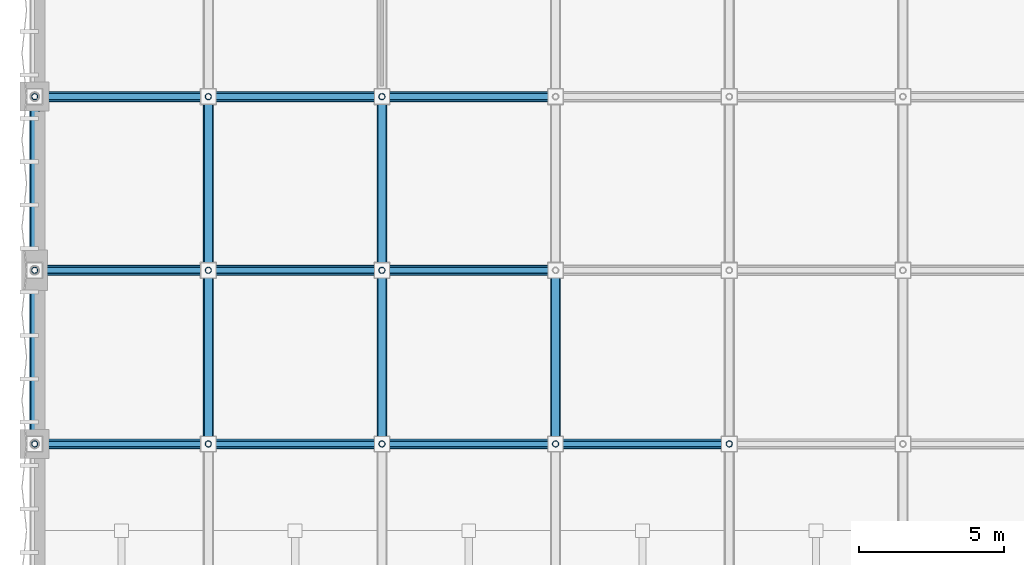
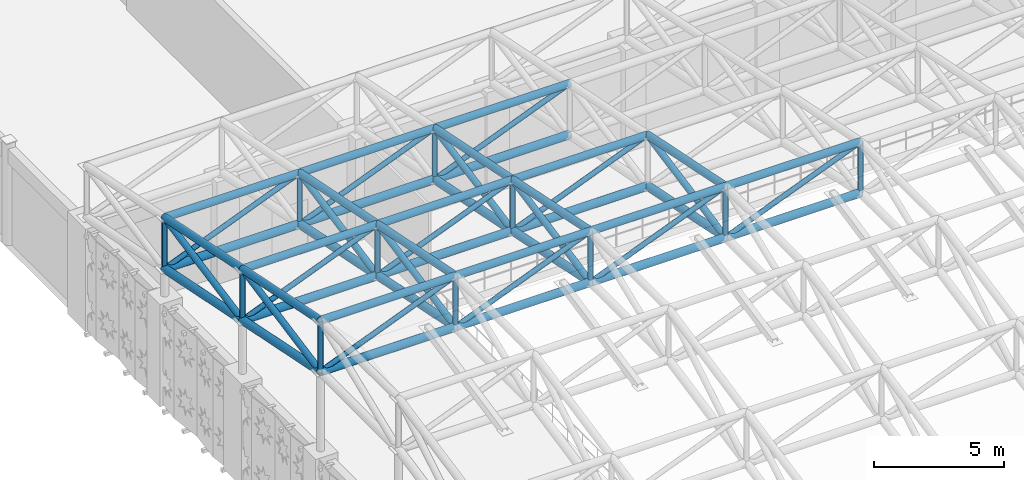
# One storey, part 29 of 112: 62 members.
"""IFC4 building model written with IfcOpenShell, lengths in metres."""

from ifc_helpers import new_model, si_unit, direction, frame, origin, origin_2d, place, context, subcontext, project, spatial, hollow_circle, extrude, material, material_profile, profile_set, type_object, element, save


model = new_model("IFC4")

# Units and contexts
model_context = context("Model", 3, precision=1e-05, world=origin(), true_north=direction((0.0, 1.0)))
body_context = subcontext(model_context, "Body", "Model", "MODEL_VIEW")
ifc_project = project(units=[si_unit("LENGTHUNIT", "METRE"), si_unit("AREAUNIT", "SQUARE_METRE"), si_unit("VOLUMEUNIT", "CUBIC_METRE"), si_unit("PLANEANGLEUNIT", "RADIAN"), si_unit("MASSUNIT", "GRAM", prefix="KILO"), si_unit("THERMODYNAMICTEMPERATUREUNIT", "KELVIN"), si_unit("POWERUNIT", "WATT")], contexts=[model_context])

# Site, building, storey
site_placement = place(None, origin())
site = spatial("IfcSite", under=ifc_project, at=site_placement, CompositionType="ELEMENT")
building_placement = place(site_placement, origin())
building = spatial("IfcBuilding", under=site, at=building_placement, Name="Phaisarnlok Congress Hotel", CompositionType="ELEMENT")
storey_placement = place(building_placement, frame((0.0, 0.0, 19.800048828125)))
storey = spatial("IfcBuildingStorey", under=building, at=storey_placement, Name="L04", CompositionType="ELEMENT", Elevation=19.800048828125)

# Members
ifc_material = material(Name="Steel S355", Category="steel")
ifc_material_profile_1 = material_profile(ifc_material, hollow_circle(Radius=0.109619140625, WallThickness=0.012451171875, at=origin_2d()), Name="CHS 219.1x12.5")
ifc_profile_set_1 = profile_set([ifc_material_profile_1], Name="Steel S355")
member_type_1 = type_object("IfcMemberType", Name="MEM-BRC-CHS219", PredefinedType="BRACE", material=ifc_profile_set_1)
member_1_placement = place(storey_placement, frame((0.0, 66.0, 8.462158203125), z_axis=(0.0, 0.0, 1.0), x_axis=(1.0, 0.0, 0.0)))
element("IfcMember", 1, at=member_1_placement, inside=storey, type_object=member_type_1, Name="Congress Hall space frame vertical brace TB-02", PredefinedType="BRACE", context=body_context, shape_type="SweptSolid", body=[
    extrude(hollow_circle(Radius=0.109619140625, WallThickness=0.012451171875, at=origin_2d()), origin(), (0.0, 0.0, 1.0), 2.39990234375),
])
member_2_placement = place(storey_placement, frame((0.0, 66.0, 8.462158203125), z_axis=(0.928481901832, 0.0, 0.371377648723), x_axis=(0.0, 1.0, 0.0)))
element("IfcMember", 2, at=member_2_placement, inside=storey, type_object=member_type_1, Name="Congress Hall space frame web diagonal TB-02", PredefinedType="BRACE", context=body_context, shape_type="SweptSolid", body=[
    extrude(hollow_circle(Radius=0.109619140625, WallThickness=0.012451171875, at=origin_2d()), origin(), (0.0, 0.0, 1.0), 6.462158203125),
])
member_3_placement = place(storey_placement, frame((0.0, 72.0, 7.241455078125), z_axis=(0.0, 0.0, 1.0), x_axis=(1.0, 0.0, 0.0)))
element("IfcMember", 3, at=member_3_placement, inside=storey, type_object=member_type_1, Name="Congress Hall space frame vertical brace TB-02", PredefinedType="BRACE", context=body_context, shape_type="SweptSolid", body=[
    extrude(hollow_circle(Radius=0.109619140625, WallThickness=0.012451171875, at=origin_2d()), origin(), (0.0, 0.0, 1.0), 2.39990234375),
])
member_4_placement = place(storey_placement, frame((0.0, 72.0, 7.241455078125), z_axis=(0.928481901832, 0.0, 0.371377648723), x_axis=(0.0, 1.0, 0.0)))
element("IfcMember", 4, at=member_4_placement, inside=storey, type_object=member_type_1, Name="Congress Hall space frame web diagonal TB-02", PredefinedType="BRACE", context=body_context, shape_type="SweptSolid", body=[
    extrude(hollow_circle(Radius=0.109619140625, WallThickness=0.012451171875, at=origin_2d()), origin(), (0.0, 0.0, 1.0), 6.462158203125),
])
member_5_placement = place(storey_placement, frame((0.0, 78.0, 6.020751953125), z_axis=(0.0, 0.0, 1.0), x_axis=(1.0, 0.0, 0.0)))
element("IfcMember", 5, at=member_5_placement, inside=storey, type_object=member_type_1, Name="Congress Hall space frame vertical brace TB-02", PredefinedType="BRACE", context=body_context, shape_type="SweptSolid", body=[
    extrude(hollow_circle(Radius=0.109619140625, WallThickness=0.012451171875, at=origin_2d()), origin(), (0.0, 0.0, 1.0), 2.39990234375),
])
member_6_placement = place(storey_placement, frame((0.0, 78.0, 6.020751953125), z_axis=(0.928481901832, 0.0, 0.371377648723), x_axis=(0.0, 1.0, 0.0)))
element("IfcMember", 6, at=member_6_placement, inside=storey, type_object=member_type_1, Name="Congress Hall space frame web diagonal TB-02", PredefinedType="BRACE", context=body_context, shape_type="SweptSolid", body=[
    extrude(hollow_circle(Radius=0.109619140625, WallThickness=0.012451171875, at=origin_2d()), origin(), (0.0, 0.0, 1.0), 6.462158203125),
])
member_7_placement = place(storey_placement, frame((6.0, 66.0, 8.462158203125), z_axis=(0.0, 0.0, 1.0), x_axis=(1.0, 0.0, 0.0)))
element("IfcMember", 7, at=member_7_placement, inside=storey, type_object=member_type_1, Name="Congress Hall space frame vertical brace TB-02", PredefinedType="BRACE", context=body_context, shape_type="SweptSolid", body=[
    extrude(hollow_circle(Radius=0.109619140625, WallThickness=0.012451171875, at=origin_2d()), origin(), (0.0, 0.0, 1.0), 2.39990234375),
])
member_8_placement = place(storey_placement, frame((6.0, 66.0, 8.462158203125), z_axis=(0.928481901832, 0.0, 0.371377648723), x_axis=(0.0, 1.0, 0.0)))
element("IfcMember", 8, at=member_8_placement, inside=storey, type_object=member_type_1, Name="Congress Hall space frame web diagonal TB-02", PredefinedType="BRACE", context=body_context, shape_type="SweptSolid", body=[
    extrude(hollow_circle(Radius=0.109619140625, WallThickness=0.012451171875, at=origin_2d()), origin(), (0.0, 0.0, 1.0), 6.462158203125),
])
member_9_placement = place(storey_placement, frame((6.0, 72.0, 7.241455078125), z_axis=(0.0, 0.0, 1.0), x_axis=(1.0, 0.0, 0.0)))
element("IfcMember", 9, at=member_9_placement, inside=storey, type_object=member_type_1, Name="Congress Hall space frame vertical brace TB-02", PredefinedType="BRACE", context=body_context, shape_type="SweptSolid", body=[
    extrude(hollow_circle(Radius=0.109619140625, WallThickness=0.012451171875, at=origin_2d()), origin(), (0.0, 0.0, 1.0), 2.39990234375),
])
member_10_placement = place(storey_placement, frame((6.0, 72.0, 7.241455078125), z_axis=(0.928481901832, 0.0, 0.371377648723), x_axis=(0.0, 1.0, 0.0)))
element("IfcMember", 10, at=member_10_placement, inside=storey, type_object=member_type_1, Name="Congress Hall space frame web diagonal TB-02", PredefinedType="BRACE", context=body_context, shape_type="SweptSolid", body=[
    extrude(hollow_circle(Radius=0.109619140625, WallThickness=0.012451171875, at=origin_2d()), origin(), (0.0, 0.0, 1.0), 6.462158203125),
])
member_11_placement = place(storey_placement, frame((6.0, 78.0, 6.020751953125), z_axis=(0.0, 0.0, 1.0), x_axis=(1.0, 0.0, 0.0)))
element("IfcMember", 11, at=member_11_placement, inside=storey, type_object=member_type_1, Name="Congress Hall space frame vertical brace TB-02", PredefinedType="BRACE", context=body_context, shape_type="SweptSolid", body=[
    extrude(hollow_circle(Radius=0.109619140625, WallThickness=0.012451171875, at=origin_2d()), origin(), (0.0, 0.0, 1.0), 2.39990234375),
])
member_12_placement = place(storey_placement, frame((6.0, 78.0, 6.020751953125), z_axis=(0.928481901832, 0.0, 0.371377648723), x_axis=(0.0, 1.0, 0.0)))
element("IfcMember", 12, at=member_12_placement, inside=storey, type_object=member_type_1, Name="Congress Hall space frame web diagonal TB-02", PredefinedType="BRACE", context=body_context, shape_type="SweptSolid", body=[
    extrude(hollow_circle(Radius=0.109619140625, WallThickness=0.012451171875, at=origin_2d()), origin(), (0.0, 0.0, 1.0), 6.462158203125),
])
member_13_placement = place(storey_placement, frame((12.0, 66.0, 8.462158203125), z_axis=(0.0, 0.0, 1.0), x_axis=(1.0, 0.0, 0.0)))
element("IfcMember", 13, at=member_13_placement, inside=storey, type_object=member_type_1, Name="Congress Hall space frame vertical brace TB-02", PredefinedType="BRACE", context=body_context, shape_type="SweptSolid", body=[
    extrude(hollow_circle(Radius=0.109619140625, WallThickness=0.012451171875, at=origin_2d()), origin(), (0.0, 0.0, 1.0), 2.39990234375),
])
member_14_placement = place(storey_placement, frame((12.0, 66.0, 8.462158203125), z_axis=(0.928481901832, 0.0, 0.371377648723), x_axis=(0.0, 1.0, 0.0)))
element("IfcMember", 14, at=member_14_placement, inside=storey, type_object=member_type_1, Name="Congress Hall space frame web diagonal TB-02", PredefinedType="BRACE", context=body_context, shape_type="SweptSolid", body=[
    extrude(hollow_circle(Radius=0.109619140625, WallThickness=0.012451171875, at=origin_2d()), origin(), (0.0, 0.0, 1.0), 6.462158203125),
])
member_15_placement = place(storey_placement, frame((12.0, 72.0, 7.241455078125), z_axis=(0.0, 0.0, 1.0), x_axis=(1.0, 0.0, 0.0)))
element("IfcMember", 15, at=member_15_placement, inside=storey, type_object=member_type_1, Name="Congress Hall space frame vertical brace TB-02", PredefinedType="BRACE", context=body_context, shape_type="SweptSolid", body=[
    extrude(hollow_circle(Radius=0.109619140625, WallThickness=0.012451171875, at=origin_2d()), origin(), (0.0, 0.0, 1.0), 2.39990234375),
])
member_16_placement = place(storey_placement, frame((12.0, 72.0, 7.241455078125), z_axis=(0.928481901832, 0.0, 0.371377648723), x_axis=(0.0, 1.0, 0.0)))
element("IfcMember", 16, at=member_16_placement, inside=storey, type_object=member_type_1, Name="Congress Hall space frame web diagonal TB-02", PredefinedType="BRACE", context=body_context, shape_type="SweptSolid", body=[
    extrude(hollow_circle(Radius=0.109619140625, WallThickness=0.012451171875, at=origin_2d()), origin(), (0.0, 0.0, 1.0), 6.462158203125),
])
member_17_placement = place(storey_placement, frame((12.0, 78.0, 6.020751953125), z_axis=(0.0, 0.0, 1.0), x_axis=(1.0, 0.0, 0.0)))
element("IfcMember", 17, at=member_17_placement, inside=storey, type_object=member_type_1, Name="Congress Hall space frame vertical brace TB-02", PredefinedType="BRACE", context=body_context, shape_type="SweptSolid", body=[
    extrude(hollow_circle(Radius=0.109619140625, WallThickness=0.012451171875, at=origin_2d()), origin(), (0.0, 0.0, 1.0), 2.39990234375),
])
member_18_placement = place(storey_placement, frame((12.0, 78.0, 6.020751953125), z_axis=(0.928481901832, 0.0, 0.371377648723), x_axis=(0.0, 1.0, 0.0)))
element("IfcMember", 18, at=member_18_placement, inside=storey, type_object=member_type_1, Name="Congress Hall space frame web diagonal TB-02", PredefinedType="BRACE", context=body_context, shape_type="SweptSolid", body=[
    extrude(hollow_circle(Radius=0.109619140625, WallThickness=0.012451171875, at=origin_2d()), origin(), (0.0, 0.0, 1.0), 6.462158203125),
])
member_19_placement = place(storey_placement, frame((18.0, 66.0, 8.462158203125), z_axis=(0.0, 0.0, 1.0), x_axis=(1.0, 0.0, 0.0)))
element("IfcMember", 19, at=member_19_placement, inside=storey, type_object=member_type_1, Name="Congress Hall space frame vertical brace TB-02", PredefinedType="BRACE", context=body_context, shape_type="SweptSolid", body=[
    extrude(hollow_circle(Radius=0.109619140625, WallThickness=0.012451171875, at=origin_2d()), origin(), (0.0, 0.0, 1.0), 2.39990234375),
])
member_20_placement = place(storey_placement, frame((18.0, 66.0, 8.462158203125), z_axis=(0.928481901832, 0.0, 0.371377648723), x_axis=(0.0, 1.0, 0.0)))
element("IfcMember", 20, at=member_20_placement, inside=storey, type_object=member_type_1, Name="Congress Hall space frame web diagonal TB-02", PredefinedType="BRACE", context=body_context, shape_type="SweptSolid", body=[
    extrude(hollow_circle(Radius=0.109619140625, WallThickness=0.012451171875, at=origin_2d()), origin(), (0.0, 0.0, 1.0), 6.462158203125),
])
member_21_placement = place(storey_placement, frame((24.0, 66.0, 8.462158203125), z_axis=(0.0, 0.0, 1.0), x_axis=(1.0, 0.0, 0.0)))
element("IfcMember", 21, at=member_21_placement, inside=storey, type_object=member_type_1, Name="Congress Hall space frame vertical brace TB-02", PredefinedType="BRACE", context=body_context, shape_type="SweptSolid", body=[
    extrude(hollow_circle(Radius=0.109619140625, WallThickness=0.012451171875, at=origin_2d()), origin(), (0.0, 0.0, 1.0), 2.39990234375),
])
ifc_material_profile_2 = material_profile(ifc_material, hollow_circle(Radius=0.136474609375, WallThickness=0.01611328125, at=origin_2d()), Name="CHS 273x16")
ifc_profile_set_2 = profile_set([ifc_material_profile_2], Name="Steel S355")
member_type_2 = type_object("IfcMemberType", Name="MEM-BRC-CHS273", PredefinedType="BRACE", material=ifc_profile_set_2)
for number, where, z_axis, x_axis, name in (
    (22, (0.0, 66.0, 8.462158203125), (0.0, 0.981229397887, 0.192844156567), (-1.0, 0.0, 0.0), "Congress Hall space frame raking brace TB-03"),
    (23, (0.0, 72.0, 7.241455078125), (0.0, 0.981229397887, 0.192844156567), (-1.0, 0.0, 0.0), "Congress Hall space frame raking brace TB-03"),
    (24, (6.0, 66.0, 8.462158203125), (0.0, 0.981229397887, 0.192844156567), (-1.0, 0.0, 0.0), "Congress Hall space frame raking brace TB-03"),
    (25, (6.0, 72.0, 7.241455078125), (0.0, 0.981229397887, 0.192844156567), (-1.0, 0.0, 0.0), "Congress Hall space frame raking brace TB-03"),
    (26, (12.0, 66.0, 8.462158203125), (0.0, 0.981229397887, 0.192844156567), (-1.0, 0.0, 0.0), "Congress Hall space frame raking brace TB-03"),
    (27, (12.0, 72.0, 7.241455078125), (0.0, 0.981229397887, 0.192844156567), (-1.0, 0.0, 0.0), "Congress Hall space frame raking brace TB-03"),
    (28, (18.0, 66.0, 8.462158203125), (0.0, 0.981229397887, 0.192844156567), (-1.0, 0.0, 0.0), "Congress Hall space frame raking brace TB-03"),
):
    element("IfcMember", number, at=place(storey_placement, frame(where, z_axis=z_axis, x_axis=x_axis)), inside=storey, type_object=member_type_2, Name=name, PredefinedType="BRACE", context=body_context, shape_type="SweptSolid", body=[
        extrude(hollow_circle(Radius=0.136474609375, WallThickness=0.01611328125, at=origin_2d()), origin(), (0.0, 0.0, 1.0), 6.11474609375),
    ])
ifc_material_profile_3 = material_profile(ifc_material, hollow_circle(Radius=0.161865234375, WallThickness=0.01611328125, at=origin_2d()), Name="CHS 323.9x16")
ifc_profile_set_3 = profile_set([ifc_material_profile_3], Name="Steel S355")
member_type_3 = type_object("IfcMemberType", Name="MEM-CHD-CHS324", PredefinedType="CHORD", material=ifc_profile_set_3)
member_22_placement = place(storey_placement, frame((0.0, 66.0, 10.862060546875), z_axis=(1.0, 0.0, 0.0), x_axis=(0.0, 1.0, 0.0)))
element("IfcMember", 29, at=member_22_placement, inside=storey, type_object=member_type_3, Name="Congress Hall space frame top chord TC-02", PredefinedType="CHORD", context=body_context, shape_type="SweptSolid", body=[
    extrude(hollow_circle(Radius=0.161865234375, WallThickness=0.01611328125, at=origin_2d()), origin(), (0.0, 0.0, 1.0), 6.0),
])
member_23_placement = place(storey_placement, frame((0.0, 66.0, 10.862060546875), z_axis=(0.0, 0.979925045119, -0.199366260807), x_axis=(-1.0, 0.0, 0.0)))
element("IfcMember", 30, at=member_23_placement, inside=storey, type_object=member_type_3, Name="Congress Hall space frame top chord TC-02", PredefinedType="CHORD", context=body_context, shape_type="SweptSolid", body=[
    extrude(hollow_circle(Radius=0.161865234375, WallThickness=0.01611328125, at=origin_2d()), origin(), (0.0, 0.0, 1.0), 6.122802734375),
])
member_24_placement = place(storey_placement, frame((0.0, 72.0, 9.641357421875), z_axis=(1.0, 0.0, 0.0), x_axis=(0.0, 1.0, 0.0)))
element("IfcMember", 31, at=member_24_placement, inside=storey, type_object=member_type_3, Name="Congress Hall space frame top chord TC-02", PredefinedType="CHORD", context=body_context, shape_type="SweptSolid", body=[
    extrude(hollow_circle(Radius=0.161865234375, WallThickness=0.01611328125, at=origin_2d()), origin(), (0.0, 0.0, 1.0), 6.0),
])
member_25_placement = place(storey_placement, frame((0.0, 72.0, 9.641357421875), z_axis=(0.0, 0.979925045119, -0.199366260807), x_axis=(-1.0, 0.0, 0.0)))
element("IfcMember", 32, at=member_25_placement, inside=storey, type_object=member_type_3, Name="Congress Hall space frame top chord TC-02", PredefinedType="CHORD", context=body_context, shape_type="SweptSolid", body=[
    extrude(hollow_circle(Radius=0.161865234375, WallThickness=0.01611328125, at=origin_2d()), origin(), (0.0, 0.0, 1.0), 6.122802734375),
])
for number, where, z_axis, x_axis, name in (
    (33, (0.0, 78.0, 8.420654296875), (1.0, 0.0, 0.0), (0.0, 1.0, 0.0), "Congress Hall space frame top chord TC-02"),
    (34, (6.0, 66.0, 10.862060546875), (1.0, 0.0, 0.0), (0.0, 1.0, 0.0), "Congress Hall space frame top chord TC-02"),
):
    element("IfcMember", number, at=place(storey_placement, frame(where, z_axis=z_axis, x_axis=x_axis)), inside=storey, type_object=member_type_3, Name=name, PredefinedType="CHORD", context=body_context, shape_type="SweptSolid", body=[
        extrude(hollow_circle(Radius=0.161865234375, WallThickness=0.01611328125, at=origin_2d()), origin(), (0.0, 0.0, 1.0), 6.0),
    ])
member_26_placement = place(storey_placement, frame((6.0, 66.0, 10.862060546875), z_axis=(0.0, 0.979925045119, -0.199366260807), x_axis=(-1.0, 0.0, 0.0)))
element("IfcMember", 35, at=member_26_placement, inside=storey, type_object=member_type_3, Name="Congress Hall space frame top chord TC-02", PredefinedType="CHORD", context=body_context, shape_type="SweptSolid", body=[
    extrude(hollow_circle(Radius=0.161865234375, WallThickness=0.01611328125, at=origin_2d()), origin(), (0.0, 0.0, 1.0), 6.122802734375),
])
member_27_placement = place(storey_placement, frame((6.0, 72.0, 9.641357421875), z_axis=(1.0, 0.0, 0.0), x_axis=(0.0, 1.0, 0.0)))
element("IfcMember", 36, at=member_27_placement, inside=storey, type_object=member_type_3, Name="Congress Hall space frame top chord TC-02", PredefinedType="CHORD", context=body_context, shape_type="SweptSolid", body=[
    extrude(hollow_circle(Radius=0.161865234375, WallThickness=0.01611328125, at=origin_2d()), origin(), (0.0, 0.0, 1.0), 6.0),
])
member_28_placement = place(storey_placement, frame((6.0, 72.0, 9.641357421875), z_axis=(0.0, 0.979925045119, -0.199366260807), x_axis=(-1.0, 0.0, 0.0)))
element("IfcMember", 37, at=member_28_placement, inside=storey, type_object=member_type_3, Name="Congress Hall space frame top chord TC-02", PredefinedType="CHORD", context=body_context, shape_type="SweptSolid", body=[
    extrude(hollow_circle(Radius=0.161865234375, WallThickness=0.01611328125, at=origin_2d()), origin(), (0.0, 0.0, 1.0), 6.122802734375),
])
for number, where, z_axis, x_axis, name in (
    (38, (6.0, 78.0, 8.420654296875), (1.0, 0.0, 0.0), (0.0, 1.0, 0.0), "Congress Hall space frame top chord TC-02"),
    (39, (12.0, 66.0, 10.862060546875), (1.0, 0.0, 0.0), (0.0, 1.0, 0.0), "Congress Hall space frame top chord TC-02"),
):
    element("IfcMember", number, at=place(storey_placement, frame(where, z_axis=z_axis, x_axis=x_axis)), inside=storey, type_object=member_type_3, Name=name, PredefinedType="CHORD", context=body_context, shape_type="SweptSolid", body=[
        extrude(hollow_circle(Radius=0.161865234375, WallThickness=0.01611328125, at=origin_2d()), origin(), (0.0, 0.0, 1.0), 6.0),
    ])
member_29_placement = place(storey_placement, frame((12.0, 66.0, 10.862060546875), z_axis=(0.0, 0.979925045119, -0.199366260807), x_axis=(-1.0, 0.0, 0.0)))
element("IfcMember", 40, at=member_29_placement, inside=storey, type_object=member_type_3, Name="Congress Hall space frame top chord TC-02", PredefinedType="CHORD", context=body_context, shape_type="SweptSolid", body=[
    extrude(hollow_circle(Radius=0.161865234375, WallThickness=0.01611328125, at=origin_2d()), origin(), (0.0, 0.0, 1.0), 6.122802734375),
])
member_30_placement = place(storey_placement, frame((12.0, 72.0, 9.641357421875), z_axis=(1.0, 0.0, 0.0), x_axis=(0.0, 1.0, 0.0)))
element("IfcMember", 41, at=member_30_placement, inside=storey, type_object=member_type_3, Name="Congress Hall space frame top chord TC-02", PredefinedType="CHORD", context=body_context, shape_type="SweptSolid", body=[
    extrude(hollow_circle(Radius=0.161865234375, WallThickness=0.01611328125, at=origin_2d()), origin(), (0.0, 0.0, 1.0), 6.0),
])
member_31_placement = place(storey_placement, frame((12.0, 72.0, 9.641357421875), z_axis=(0.0, 0.979925045119, -0.199366260807), x_axis=(-1.0, 0.0, 0.0)))
element("IfcMember", 42, at=member_31_placement, inside=storey, type_object=member_type_3, Name="Congress Hall space frame top chord TC-02", PredefinedType="CHORD", context=body_context, shape_type="SweptSolid", body=[
    extrude(hollow_circle(Radius=0.161865234375, WallThickness=0.01611328125, at=origin_2d()), origin(), (0.0, 0.0, 1.0), 6.122802734375),
])
for number, where, z_axis, x_axis, name in (
    (43, (12.0, 78.0, 8.420654296875), (1.0, 0.0, 0.0), (0.0, 1.0, 0.0), "Congress Hall space frame top chord TC-02"),
    (44, (18.0, 66.0, 10.862060546875), (1.0, 0.0, 0.0), (0.0, 1.0, 0.0), "Congress Hall space frame top chord TC-02"),
):
    element("IfcMember", number, at=place(storey_placement, frame(where, z_axis=z_axis, x_axis=x_axis)), inside=storey, type_object=member_type_3, Name=name, PredefinedType="CHORD", context=body_context, shape_type="SweptSolid", body=[
        extrude(hollow_circle(Radius=0.161865234375, WallThickness=0.01611328125, at=origin_2d()), origin(), (0.0, 0.0, 1.0), 6.0),
    ])
member_32_placement = place(storey_placement, frame((18.0, 66.0, 10.862060546875), z_axis=(0.0, 0.979925045119, -0.199366260807), x_axis=(-1.0, 0.0, 0.0)))
element("IfcMember", 45, at=member_32_placement, inside=storey, type_object=member_type_3, Name="Congress Hall space frame top chord TC-02", PredefinedType="CHORD", context=body_context, shape_type="SweptSolid", body=[
    extrude(hollow_circle(Radius=0.161865234375, WallThickness=0.01611328125, at=origin_2d()), origin(), (0.0, 0.0, 1.0), 6.122802734375),
])
ifc_material_profile_4 = material_profile(ifc_material, hollow_circle(Radius=0.177734375, WallThickness=0.02001953125, at=origin_2d()), Name="CHS 355.6x20")
ifc_profile_set_4 = profile_set([ifc_material_profile_4], Name="Steel S355")
member_type_4 = type_object("IfcMemberType", Name="MEM-CHD-CHS356", PredefinedType="CHORD", material=ifc_profile_set_4)
member_33_placement = place(storey_placement, frame((0.0, 66.0, 8.462158203125), z_axis=(1.0, 0.0, 0.0), x_axis=(0.0, 1.0, 0.0)))
element("IfcMember", 46, at=member_33_placement, inside=storey, type_object=member_type_4, Name="Congress Hall space frame bottom chord TC-01", PredefinedType="CHORD", context=body_context, shape_type="SweptSolid", body=[
    extrude(hollow_circle(Radius=0.177734375, WallThickness=0.02001953125, at=origin_2d()), origin(), (0.0, 0.0, 1.0), 6.0),
])
member_34_placement = place(storey_placement, frame((0.0, 66.0, 8.462158203125), z_axis=(0.0, 0.979925045119, -0.199366260807), x_axis=(-1.0, 0.0, 0.0)))
element("IfcMember", 47, at=member_34_placement, inside=storey, type_object=member_type_4, Name="Congress Hall space frame bottom chord TC-01", PredefinedType="CHORD", context=body_context, shape_type="SweptSolid", body=[
    extrude(hollow_circle(Radius=0.177734375, WallThickness=0.02001953125, at=origin_2d()), origin(), (0.0, 0.0, 1.0), 6.122802734375),
])
member_35_placement = place(storey_placement, frame((0.0, 72.0, 7.241455078125), z_axis=(1.0, 0.0, 0.0), x_axis=(0.0, 1.0, 0.0)))
element("IfcMember", 48, at=member_35_placement, inside=storey, type_object=member_type_4, Name="Congress Hall space frame bottom chord TC-01", PredefinedType="CHORD", context=body_context, shape_type="SweptSolid", body=[
    extrude(hollow_circle(Radius=0.177734375, WallThickness=0.02001953125, at=origin_2d()), origin(), (0.0, 0.0, 1.0), 6.0),
])
member_36_placement = place(storey_placement, frame((0.0, 72.0, 7.241455078125), z_axis=(0.0, 0.979925045119, -0.199366260807), x_axis=(-1.0, 0.0, 0.0)))
element("IfcMember", 49, at=member_36_placement, inside=storey, type_object=member_type_4, Name="Congress Hall space frame bottom chord TC-01", PredefinedType="CHORD", context=body_context, shape_type="SweptSolid", body=[
    extrude(hollow_circle(Radius=0.177734375, WallThickness=0.02001953125, at=origin_2d()), origin(), (0.0, 0.0, 1.0), 6.122802734375),
])
for number, where, z_axis, x_axis, name in (
    (50, (0.0, 78.0, 6.020751953125), (1.0, 0.0, 0.0), (0.0, 1.0, 0.0), "Congress Hall space frame bottom chord TC-01"),
    (51, (6.0, 66.0, 8.462158203125), (1.0, 0.0, 0.0), (0.0, 1.0, 0.0), "Congress Hall space frame bottom chord TC-01"),
):
    element("IfcMember", number, at=place(storey_placement, frame(where, z_axis=z_axis, x_axis=x_axis)), inside=storey, type_object=member_type_4, Name=name, PredefinedType="CHORD", context=body_context, shape_type="SweptSolid", body=[
        extrude(hollow_circle(Radius=0.177734375, WallThickness=0.02001953125, at=origin_2d()), origin(), (0.0, 0.0, 1.0), 6.0),
    ])
member_37_placement = place(storey_placement, frame((6.0, 66.0, 8.462158203125), z_axis=(0.0, 0.979925045119, -0.199366260807), x_axis=(-1.0, 0.0, 0.0)))
element("IfcMember", 52, at=member_37_placement, inside=storey, type_object=member_type_4, Name="Congress Hall space frame bottom chord TC-01", PredefinedType="CHORD", context=body_context, shape_type="SweptSolid", body=[
    extrude(hollow_circle(Radius=0.177734375, WallThickness=0.02001953125, at=origin_2d()), origin(), (0.0, 0.0, 1.0), 6.122802734375),
])
member_38_placement = place(storey_placement, frame((6.0, 72.0, 7.241455078125), z_axis=(1.0, 0.0, 0.0), x_axis=(0.0, 1.0, 0.0)))
element("IfcMember", 53, at=member_38_placement, inside=storey, type_object=member_type_4, Name="Congress Hall space frame bottom chord TC-01", PredefinedType="CHORD", context=body_context, shape_type="SweptSolid", body=[
    extrude(hollow_circle(Radius=0.177734375, WallThickness=0.02001953125, at=origin_2d()), origin(), (0.0, 0.0, 1.0), 6.0),
])
member_39_placement = place(storey_placement, frame((6.0, 72.0, 7.241455078125), z_axis=(0.0, 0.979925045119, -0.199366260807), x_axis=(-1.0, 0.0, 0.0)))
element("IfcMember", 54, at=member_39_placement, inside=storey, type_object=member_type_4, Name="Congress Hall space frame bottom chord TC-01", PredefinedType="CHORD", context=body_context, shape_type="SweptSolid", body=[
    extrude(hollow_circle(Radius=0.177734375, WallThickness=0.02001953125, at=origin_2d()), origin(), (0.0, 0.0, 1.0), 6.122802734375),
])
for number, where, z_axis, x_axis, name in (
    (55, (6.0, 78.0, 6.020751953125), (1.0, 0.0, 0.0), (0.0, 1.0, 0.0), "Congress Hall space frame bottom chord TC-01"),
    (56, (12.0, 66.0, 8.462158203125), (1.0, 0.0, 0.0), (0.0, 1.0, 0.0), "Congress Hall space frame bottom chord TC-01"),
):
    element("IfcMember", number, at=place(storey_placement, frame(where, z_axis=z_axis, x_axis=x_axis)), inside=storey, type_object=member_type_4, Name=name, PredefinedType="CHORD", context=body_context, shape_type="SweptSolid", body=[
        extrude(hollow_circle(Radius=0.177734375, WallThickness=0.02001953125, at=origin_2d()), origin(), (0.0, 0.0, 1.0), 6.0),
    ])
member_40_placement = place(storey_placement, frame((12.0, 66.0, 8.462158203125), z_axis=(0.0, 0.979925045119, -0.199366260807), x_axis=(-1.0, 0.0, 0.0)))
element("IfcMember", 57, at=member_40_placement, inside=storey, type_object=member_type_4, Name="Congress Hall space frame bottom chord TC-01", PredefinedType="CHORD", context=body_context, shape_type="SweptSolid", body=[
    extrude(hollow_circle(Radius=0.177734375, WallThickness=0.02001953125, at=origin_2d()), origin(), (0.0, 0.0, 1.0), 6.122802734375),
])
member_41_placement = place(storey_placement, frame((12.0, 72.0, 7.241455078125), z_axis=(1.0, 0.0, 0.0), x_axis=(0.0, 1.0, 0.0)))
element("IfcMember", 58, at=member_41_placement, inside=storey, type_object=member_type_4, Name="Congress Hall space frame bottom chord TC-01", PredefinedType="CHORD", context=body_context, shape_type="SweptSolid", body=[
    extrude(hollow_circle(Radius=0.177734375, WallThickness=0.02001953125, at=origin_2d()), origin(), (0.0, 0.0, 1.0), 6.0),
])
member_42_placement = place(storey_placement, frame((12.0, 72.0, 7.241455078125), z_axis=(0.0, 0.979925045119, -0.199366260807), x_axis=(-1.0, 0.0, 0.0)))
element("IfcMember", 59, at=member_42_placement, inside=storey, type_object=member_type_4, Name="Congress Hall space frame bottom chord TC-01", PredefinedType="CHORD", context=body_context, shape_type="SweptSolid", body=[
    extrude(hollow_circle(Radius=0.177734375, WallThickness=0.02001953125, at=origin_2d()), origin(), (0.0, 0.0, 1.0), 6.122802734375),
])
for number, where, z_axis, x_axis, name in (
    (60, (12.0, 78.0, 6.020751953125), (1.0, 0.0, 0.0), (0.0, 1.0, 0.0), "Congress Hall space frame bottom chord TC-01"),
    (61, (18.0, 66.0, 8.462158203125), (1.0, 0.0, 0.0), (0.0, 1.0, 0.0), "Congress Hall space frame bottom chord TC-01"),
):
    element("IfcMember", number, at=place(storey_placement, frame(where, z_axis=z_axis, x_axis=x_axis)), inside=storey, type_object=member_type_4, Name=name, PredefinedType="CHORD", context=body_context, shape_type="SweptSolid", body=[
        extrude(hollow_circle(Radius=0.177734375, WallThickness=0.02001953125, at=origin_2d()), origin(), (0.0, 0.0, 1.0), 6.0),
    ])
member_43_placement = place(storey_placement, frame((18.0, 66.0, 8.462158203125), z_axis=(0.0, 0.979925045119, -0.199366260807), x_axis=(-1.0, 0.0, 0.0)))
element("IfcMember", 62, at=member_43_placement, inside=storey, type_object=member_type_4, Name="Congress Hall space frame bottom chord TC-01", PredefinedType="CHORD", context=body_context, shape_type="SweptSolid", body=[
    extrude(hollow_circle(Radius=0.177734375, WallThickness=0.02001953125, at=origin_2d()), origin(), (0.0, 0.0, 1.0), 6.122802734375),
])

save(model, "model.ifc")
